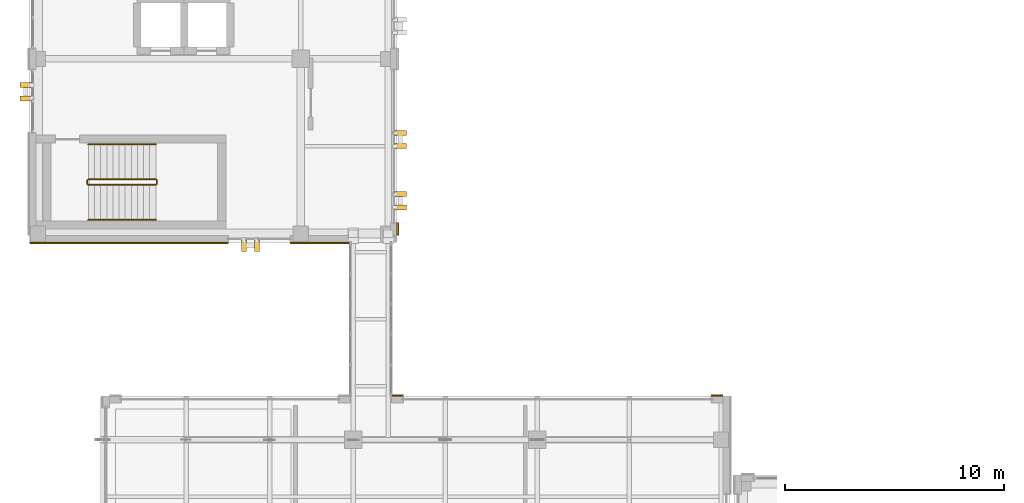
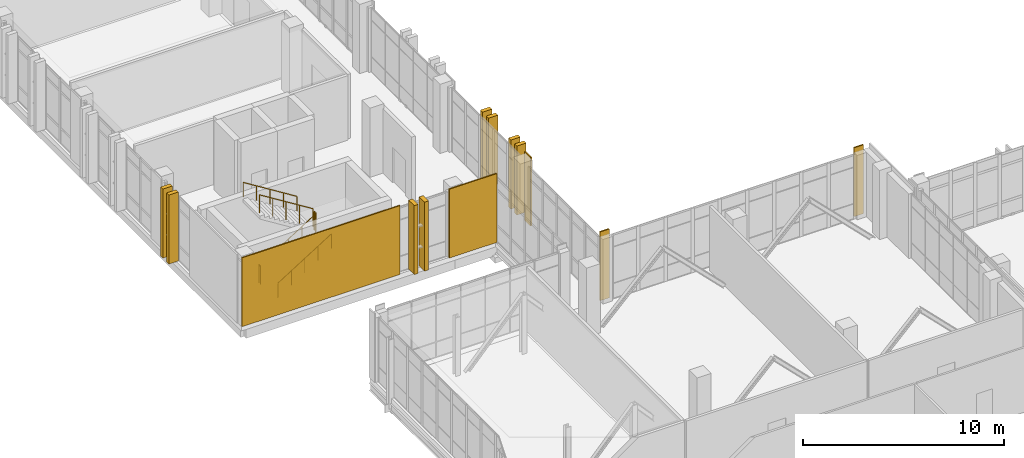
# One storey, part 176 of 193: 13 coverings, 6 railings.
"""IFC4 building model written with IfcOpenShell, lengths in metres."""

from ifc_helpers import new_model, si_unit, direction, frame, origin, origin_2d, place, context, subcontext, project, spatial, rectangle, circle, extrude, material, layer, layer_set, type_object, element, save


model = new_model("IFC4")

# Units and contexts
model_context = context("Model", 3, precision=1e-05, world=origin(), true_north=direction((0.0, 1.0)))
body_context = subcontext(model_context, "Body", "Model", "MODEL_VIEW")
ifc_project = project(units=[si_unit("LENGTHUNIT", "METRE"), si_unit("AREAUNIT", "SQUARE_METRE"), si_unit("VOLUMEUNIT", "CUBIC_METRE"), si_unit("PLANEANGLEUNIT", "RADIAN"), si_unit("MASSUNIT", "GRAM", prefix="KILO")], contexts=[model_context])

# Site, building, storey
site_placement = place(None, origin())
site = spatial("IfcSite", under=ifc_project, at=site_placement, CompositionType="ELEMENT")
building_placement = place(site_placement, origin())
building = spatial("IfcBuilding", under=site, at=building_placement, Name="Qalavern Law Courts", CompositionType="ELEMENT")
storey_placement = place(building_placement, frame((0.0, 0.0, 10.199951171875)))
storey = spatial("IfcBuildingStorey", under=building, at=storey_placement, Name="L02", CompositionType="ELEMENT", Elevation=10.199951171875)

# Coverings
ifc_material_1 = material(Name="Precast concrete C40/50", Category="concrete")
ifc_layer_1 = layer(ifc_material_1, 0.22998046875)
ifc_layer_set_1 = layer_set([ifc_layer_1], Name="Precast concrete C40/50")
covering_type_1 = type_object("IfcCoveringType", Name="ENV-BLD-2", PredefinedType="CLADDING", material=ifc_layer_set_1)
for number, where, z_axis, x_axis, name in (
    (1, (11.800048828125, 40.864990234375, 0.005126953125), (0.0, 0.0, 1.0), (0.0, -1.0, 0.0), "Absheron stone facade blade 0247"),
    (2, (12.39990234375, 40.864990234375, 0.005126953125), (0.0, 0.0, 1.0), (0.0, -1.0, 0.0), "Absheron stone facade blade 0248"),
    (3, (18.955078125, 42.6201171875, 0.005126953125), (0.0, 0.0, 1.0), (1.0, 0.0, 0.0), "Absheron stone facade blade 0249"),
    (4, (18.955078125, 43.219970703125, 0.005126953125), (0.0, 0.0, 1.0), (1.0, 0.0, 0.0), "Absheron stone facade blade 0250"),
    (5, (18.955078125, 45.419921875, 0.005126953125), (0.0, 0.0, 1.0), (1.0, 0.0, 0.0), "Absheron stone facade blade 0251"),
    (6, (18.955078125, 46.02001953125, 0.005126953125), (0.0, 0.0, 1.0), (1.0, 0.0, 0.0), "Absheron stone facade blade 0252"),
    (7, (1.844970703125, 48.199951171875, 0.005126953125), (0.0, 0.0, 1.0), (-1.0, 0.0, 0.0), "Absheron stone facade blade 0297"),
    (8, (1.844970703125, 47.60009765625, 0.005126953125), (0.0, 0.0, 1.0), (-1.0, 0.0, 0.0), "Absheron stone facade blade 0298"),
):
    element("IfcCovering", number, at=place(storey_placement, frame(where, z_axis=z_axis, x_axis=x_axis)), inside=storey, type_object=covering_type_1, Name=name, PredefinedType="CLADDING", context=body_context, shape_type="SweptSolid", body=[
        extrude(rectangle(XDim=0.5400390625, YDim=0.22998046875, at=origin_2d()), origin(), (0.0, 0.0, 1.0), 4.18994140625),
    ])
ifc_layer_2 = layer(ifc_material_1, 0.072021484375)
ifc_layer_set_2 = layer_set([ifc_layer_2], Name="Precast concrete C40/50")
covering_type_2 = type_object("IfcCoveringType", Name="ENV-CLD-2", PredefinedType="CLADDING", material=ifc_layer_set_2)
for number, where, z_axis, x_axis, name in (
    (9, (33.419921875, 34.032958984375, 0.01025390625), (0.0, 0.0, 1.0), (-1.0, 0.0, 0.0), "V1 Absheron limestone pier facing L02 north 1"),
    (10, (18.824951171875, 34.032958984375, 0.01025390625), (0.0, 0.0, 1.0), (-1.0, 0.0, 0.0), "V1 Absheron limestone pier facing L02 north 2"),
):
    element("IfcCovering", number, at=place(storey_placement, frame(where, z_axis=z_axis, x_axis=x_axis)), inside=storey, type_object=covering_type_2, Name=name, PredefinedType="CLADDING", context=body_context, shape_type="SweptSolid", body=[
        extrude(rectangle(XDim=0.530029296875, YDim=0.072021484375, at=origin_2d()), origin(), (0.0, 0.0, 1.0), 4.179931640625),
    ])
covering_1_placement = place(storey_placement, frame((6.550048828125, 40.987060546875, 0.01025390625), z_axis=(0.0, 0.0, 1.0), x_axis=(1.0, 0.0, 0.0)))
element("IfcCovering", 11, at=covering_1_placement, inside=storey, type_object=covering_type_2, Name="V3 Absheron limestone pier facing L02 south 1", PredefinedType="CLADDING", context=body_context, shape_type="SweptSolid", body=[
    extrude(rectangle(XDim=9.080078125, YDim=0.072021484375, at=origin_2d()), origin(), (0.0, 0.0, 1.0), 4.179931640625),
])
covering_2_placement = place(storey_placement, frame((15.27490234375, 40.987060546875, 0.01025390625), z_axis=(0.0, 0.0, 1.0), x_axis=(1.0, 0.0, 0.0)))
element("IfcCovering", 12, at=covering_2_placement, inside=storey, type_object=covering_type_2, Name="V3 Absheron limestone pier facing L02 south 2", PredefinedType="CLADDING", context=body_context, shape_type="SweptSolid", body=[
    extrude(rectangle(XDim=2.72998046875, YDim=0.072021484375, at=origin_2d()), origin(), (0.0, 0.0, 1.0), 4.179931640625),
])
covering_3_placement = place(storey_placement, frame((18.8330078125, 41.62255859375, 0.01025390625), z_axis=(0.0, 0.0, 1.0), x_axis=(0.0, 1.0, 0.0)))
element("IfcCovering", 13, at=covering_3_placement, inside=storey, type_object=covering_type_2, Name="V3 Absheron limestone pier facing L02 east 1", PredefinedType="CLADDING", context=body_context, shape_type="SweptSolid", body=[
    extrude(rectangle(XDim=0.574951171875, YDim=0.072021484375, at=origin_2d()), origin(), (0.0, 0.0, 1.0), 4.179931640625),
])

# Railings
ifc_material_2 = material(Name="Steel S355", Category="steel")
railing_type_1 = type_object("IfcRailingType", Name="INT-GUARD-1120", PredefinedType="BALUSTRADE", material=ifc_material_2)
railing_1_placement = place(storey_placement, frame((4.699951171875, 43.64990234375, 0.175048828125)))
element("IfcRailing", 14, at=railing_1_placement, inside=storey, type_object=railing_type_1, Name="L02 ST-K2 stair guard 1", PredefinedType="BALUSTRADE", context=body_context, shape_type="SweptSolid", body=[
    extrude(circle(Radius=0.02392578125, at=origin_2d()), frame((0.0, 0.0, 1.09619140625), z_axis=(0.847998304005, 0.0, 0.529998940003), x_axis=(0.0, 1.0, 0.0)), (0.0, 0.0, 1.0), 3.632080078125),
    extrude(circle(Radius=0.02099609375, at=origin_2d()), origin(), (0.0, 0.0, 1.0), 1.072021484375),
    extrude(circle(Radius=0.02099609375, at=origin_2d()), frame((0.77001953125, 0.0, 0.481201171875)), (0.0, 0.0, 1.0), 1.072021484375),
    extrude(circle(Radius=0.02099609375, at=origin_2d()), frame((1.5400390625, 0.0, 0.96240234375)), (0.0, 0.0, 1.0), 1.072021484375),
    extrude(circle(Radius=0.02099609375, at=origin_2d()), frame((2.31005859375, 0.0, 1.44384765625)), (0.0, 0.0, 1.0), 1.072021484375),
    extrude(circle(Radius=0.02099609375, at=origin_2d()), frame((3.080078125, 0.0, 1.925048828125)), (0.0, 0.0, 1.0), 1.072021484375),
])
railing_2_placement = place(storey_placement, frame((7.830078125, 43.699951171875, 2.10009765625)))
element("IfcRailing", 15, at=railing_2_placement, inside=storey, type_object=railing_type_1, Name="L02 ST-K2 stair guard 2", PredefinedType="BALUSTRADE", context=body_context, shape_type="SweptSolid", body=[
    extrude(circle(Radius=0.02392578125, at=origin_2d()), frame((0.0, 0.0, 1.09619140625), z_axis=(0.0, 1.0, 0.0), x_axis=(-1.0, 0.0, 0.0)), (0.0, 0.0, 1.0), 0.150146484375),
    extrude(circle(Radius=0.02099609375, at=origin_2d()), origin(), (0.0, 0.0, 1.0), 1.072021484375),
    extrude(circle(Radius=0.02099609375, at=origin_2d()), frame((0.0, 0.150146484375, 0.0)), (0.0, 0.0, 1.0), 1.072021484375),
])
railing_3_placement = place(storey_placement, frame((7.780029296875, 43.89990234375, 2.275146484375)))
element("IfcRailing", 16, at=railing_3_placement, inside=storey, type_object=railing_type_1, Name="L02 ST-K2 stair guard 3", PredefinedType="BALUSTRADE", context=body_context, shape_type="SweptSolid", body=[
    extrude(circle(Radius=0.02392578125, at=origin_2d()), frame((0.0, 0.0, 1.09619140625), z_axis=(-0.848028513186, 0.0, 0.529950602248), x_axis=(0.0, -1.0, 0.0)), (0.0, 0.0, 1.0), 3.632080078125),
    extrude(circle(Radius=0.02099609375, at=origin_2d()), origin(), (0.0, 0.0, 1.0), 1.072021484375),
    extrude(circle(Radius=0.02099609375, at=origin_2d()), frame((-0.77001953125, 0.0, 0.481201171875)), (0.0, 0.0, 1.0), 1.072021484375),
    extrude(circle(Radius=0.02099609375, at=origin_2d()), frame((-1.5400390625, 0.0, 0.96240234375)), (0.0, 0.0, 1.0), 1.072021484375),
    extrude(circle(Radius=0.02099609375, at=origin_2d()), frame((-2.31005859375, 0.0, 1.443603515625)), (0.0, 0.0, 1.0), 1.072021484375),
    extrude(circle(Radius=0.02099609375, at=origin_2d()), frame((-3.080078125, 0.0, 1.9248046875)), (0.0, 0.0, 1.0), 1.072021484375),
])
railing_4_placement = place(storey_placement, frame((4.64990234375, 43.699951171875, 0.0)))
element("IfcRailing", 17, at=railing_4_placement, inside=storey, type_object=railing_type_1, Name="L02 ST-K2 stair guard 4", PredefinedType="BALUSTRADE", context=body_context, shape_type="SweptSolid", body=[
    extrude(circle(Radius=0.02392578125, at=origin_2d()), frame((0.0, 0.0, 1.09619140625), z_axis=(0.0, 1.0, 0.0), x_axis=(-1.0, 0.0, 0.0)), (0.0, 0.0, 1.0), 0.150146484375),
    extrude(circle(Radius=0.02099609375, at=origin_2d()), origin(), (0.0, 0.0, 1.0), 1.072021484375),
    extrude(circle(Radius=0.02099609375, at=origin_2d()), frame((0.0, 0.150146484375, 0.0)), (0.0, 0.0, 1.0), 1.072021484375),
])
railing_type_2 = type_object("IfcRailingType", Name="INT-HRAIL-920", PredefinedType="HANDRAIL", material=ifc_material_2)
railing_5_placement = place(storey_placement, frame((4.699951171875, 42.050048828125, 0.175048828125)))
element("IfcRailing", 18, at=railing_5_placement, inside=storey, type_object=railing_type_2, Name="L02 ST-K2 stair handrail 1", PredefinedType="HANDRAIL", context=body_context, shape_type="SweptSolid", body=[
    extrude(circle(Radius=0.02392578125, at=origin_2d()), frame((0.0, 0.0, 0.8759765625), z_axis=(0.847998304005, 0.0, 0.529998940003), x_axis=(0.0, 1.0, 0.0)), (0.0, 0.0, 1.0), 3.632080078125),
    extrude(circle(Radius=0.02099609375, at=origin_2d()), origin(), (0.0, 0.0, 1.0), 0.851806640625),
    extrude(circle(Radius=0.02099609375, at=origin_2d()), frame((0.77001953125, 0.0, 0.481201171875)), (0.0, 0.0, 1.0), 0.851806640625),
    extrude(circle(Radius=0.02099609375, at=origin_2d()), frame((1.5400390625, 0.0, 0.96240234375)), (0.0, 0.0, 1.0), 0.851806640625),
    extrude(circle(Radius=0.02099609375, at=origin_2d()), frame((2.31005859375, 0.0, 1.44384765625)), (0.0, 0.0, 1.0), 0.851806640625),
    extrude(circle(Radius=0.02099609375, at=origin_2d()), frame((3.080078125, 0.0, 1.925048828125)), (0.0, 0.0, 1.0), 0.851806640625),
])
railing_6_placement = place(storey_placement, frame((7.780029296875, 45.5, 2.275146484375)))
element("IfcRailing", 19, at=railing_6_placement, inside=storey, type_object=railing_type_2, Name="L02 ST-K2 stair handrail 2", PredefinedType="HANDRAIL", context=body_context, shape_type="SweptSolid", body=[
    extrude(circle(Radius=0.02392578125, at=origin_2d()), frame((0.0, 0.0, 0.8759765625), z_axis=(-0.848028513186, 0.0, 0.529950602248), x_axis=(0.0, -1.0, 0.0)), (0.0, 0.0, 1.0), 3.632080078125),
    extrude(circle(Radius=0.02099609375, at=origin_2d()), origin(), (0.0, 0.0, 1.0), 0.851806640625),
    extrude(circle(Radius=0.02099609375, at=origin_2d()), frame((-0.77001953125, 0.0, 0.481201171875)), (0.0, 0.0, 1.0), 0.851806640625),
    extrude(circle(Radius=0.02099609375, at=origin_2d()), frame((-1.5400390625, 0.0, 0.96240234375)), (0.0, 0.0, 1.0), 0.851806640625),
    extrude(circle(Radius=0.02099609375, at=origin_2d()), frame((-2.31005859375, 0.0, 1.443603515625)), (0.0, 0.0, 1.0), 0.851806640625),
    extrude(circle(Radius=0.02099609375, at=origin_2d()), frame((-3.080078125, 0.0, 1.9248046875)), (0.0, 0.0, 1.0), 0.851806640625),
])

save(model, "model.ifc")
